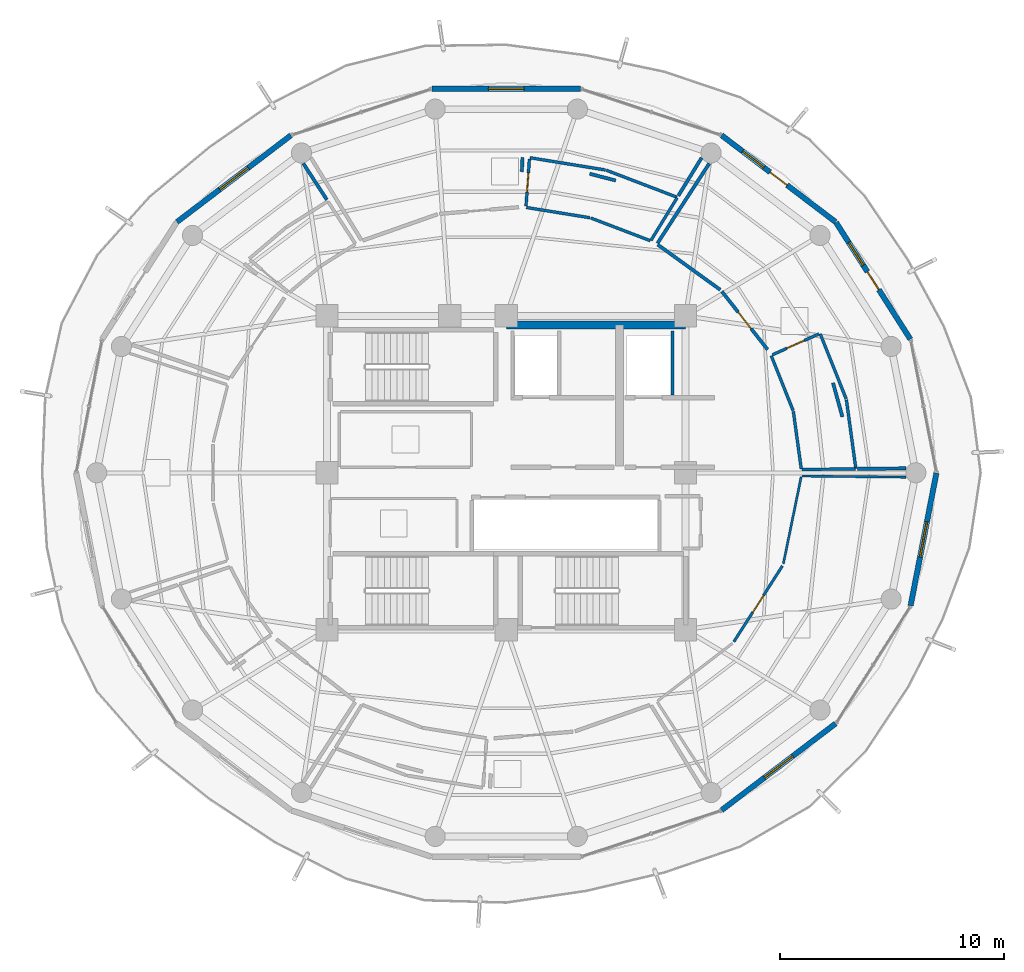
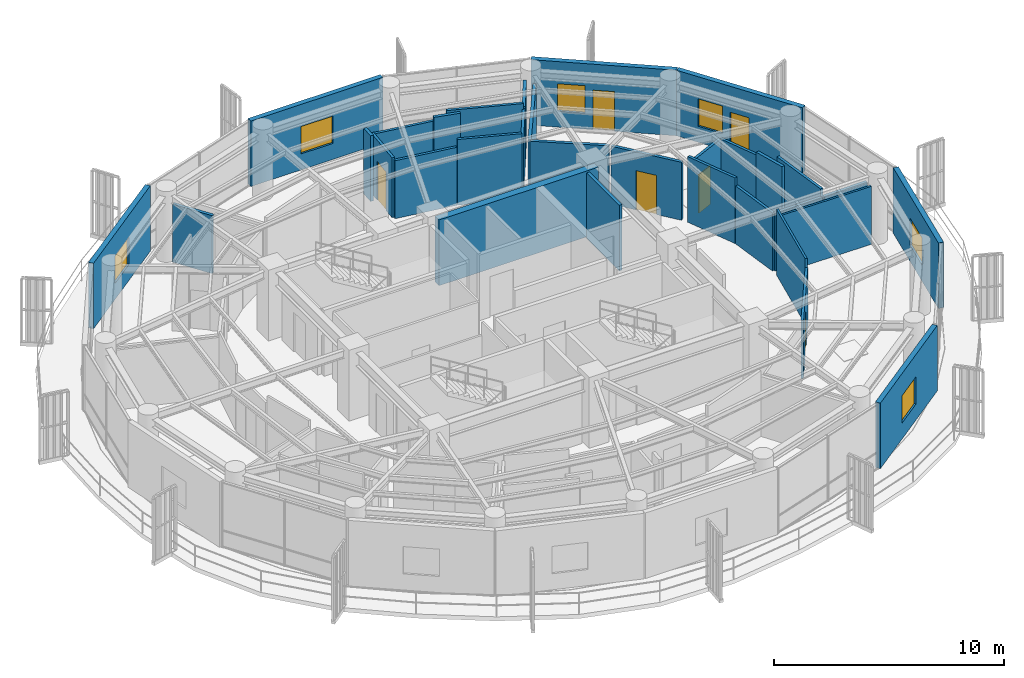
# One storey, part 17 of 22: 32 walls, 6 doors, 6 windows, 12 openings.
"""IFC4 building model written with IfcOpenShell, lengths in metres."""

from ifc_helpers import new_model, si_unit, direction, frame, frame_2d, origin, place, context, subcontext, project, spatial, rectangle, extrude, material, layer, layer_set, type_object, element, fill, save


model = new_model("IFC4")

# Units and contexts
model_context = context("Model", 3, precision=1e-05, world=origin(), true_north=direction((0.0, 1.0)))
body_context = subcontext(model_context, "Body", "Model", "MODEL_VIEW")
ifc_project = project(units=[si_unit("LENGTHUNIT", "METRE"), si_unit("AREAUNIT", "SQUARE_METRE"), si_unit("VOLUMEUNIT", "CUBIC_METRE"), si_unit("PLANEANGLEUNIT", "RADIAN"), si_unit("MASSUNIT", "GRAM", prefix="KILO")], contexts=[model_context])

# Site, building, storey
site_placement = place(None, origin())
site = spatial("IfcSite", under=ifc_project, at=site_placement, CompositionType="ELEMENT")
building_placement = place(site_placement, origin())
building = spatial("IfcBuilding", under=site, at=building_placement, Name="Kelanora Arch Commons", CompositionType="ELEMENT")
storey_placement = place(building_placement, frame((0.0, 0.0, 271.199951171875)))
storey = spatial("IfcBuildingStorey", under=building, at=storey_placement, Name="L69", CompositionType="ELEMENT", Elevation=271.199951171875)

# Wall
ifc_material_1 = material(Name="Autoclaved aerated concrete blockwork with fire plaster", Category="masonry")
ifc_layer_1 = layer(ifc_material_1, 0.14990234375)
ifc_layer_set_1 = layer_set([ifc_layer_1], Name="Autoclaved aerated concrete blockwork with fire plaster")
wall_type_1 = type_object("IfcWallType", Name="W-COMP-150", PredefinedType="PARTITIONING", material=ifc_layer_set_1)
wall_1_placement = place(storey_placement, frame((81.419921875, 61.47998046875, 0.0), z_axis=(0.0, 0.0, 1.0), x_axis=(0.0, 1.0, 0.0)))
element("IfcWall", 1, at=wall_1_placement, inside=storey, type_object=wall_type_1, Name="Firefighting Lift 2 East Shaft Wall L69", PredefinedType="PARTITIONING", context=body_context, shape_type="SweptSolid", body=[
    extrude(rectangle(XDim=2.840087890625, YDim=0.14990234375, at=frame_2d((1.419921875, 0.0))), origin(), (0.0, 0.0, 1.0), 3.47998046875),
])

# Wall, opening, door
wall_2_placement = place(storey_placement, frame((85.662841796875, 63.497314453125, 0.0), z_axis=(0.0, 0.0, 1.0), x_axis=(-0.618216128683, 0.786008154052, 0.0)))
wall_2 = element("IfcWall", 2, at=wall_2_placement, inside=storey, type_object=wall_type_1, Name="Co-Living Studio L69-07 Entry Partition", PredefinedType="PARTITIONING", context=body_context, shape_type="SweptSolid", body=[
    extrude(rectangle(XDim=3.305908203125, YDim=0.14990234375, at=frame_2d((1.65283203125, 0.0))), origin(), (0.0, 0.0, 1.0), 3.074951171875),
])
opening_1_placement = place(wall_2_placement, frame((1.177978515625, 0.0, 0.0)))
opening_1 = element("IfcOpeningElement", 3, at=opening_1_placement, cuts=wall_2, Name="Opening D-CLU1", PredefinedType="OPENING", context=body_context, shape_type="SweptSolid", body=[
    extrude(rectangle(XDim=0.949951171875, YDim=2.080078125, at=frame_2d((0.47509765625, 1.0400390625))), frame((0.0, 0.0849609375, 0.0), z_axis=(0.0, -1.0, 0.0), x_axis=(1.0, 0.0, 0.0)), (0.0, 0.0, 1.0), 0.169921875),
])
ifc_material_2 = material(Name="Solid-core acoustic timber cluster entry fire door", Category="wood")
door_type_1 = type_object("IfcDoorType", Name="D-CLU-95", OperationType="NOTDEFINED", PredefinedType="DOOR", material=ifc_material_2)
door_1_placement = place(opening_1_placement, origin())
door_1 = element("IfcDoor", 4, at=door_1_placement, inside=storey, type_object=door_type_1, Name="Co-Living Studio L69-07 Door", OperationType="SINGLE_SWING_LEFT", OverallHeight=2.080078125, OverallWidth=0.949951171875, PredefinedType="DOOR", context=body_context, shape_type="SweptSolid", body=[
    extrude(rectangle(XDim=0.949951171875, YDim=2.080078125, at=frame_2d((0.47509765625, 1.0400390625))), frame((0.0, 0.02490234375, 0.0), z_axis=(0.0, -1.0, 0.0), x_axis=(1.0, 0.0, 0.0)), (0.0, 0.0, 1.0), 0.050048828125),
])
fill(opening_1, door_1)

# Walls
wall_3_placement = place(storey_placement, frame((82.717041015625, 72.055908203125, 0.0), z_axis=(0.0, 0.0, 1.0), x_axis=(-0.522809528722, -0.852449527349, 0.0)))
element("IfcWall", 5, at=wall_3_placement, inside=storey, type_object=wall_type_1, Name="Co-Living Studio L69-01 Enclosure Partition 6", PredefinedType="PARTITIONING", context=body_context, shape_type="SweptSolid", body=[
    extrude(rectangle(XDim=1.9892578125, YDim=0.14990234375, at=frame_2d((0.99462890625, 0.0))), origin(), (0.0, 0.0, 1.0), 3.235107421875),
])
wall_4_placement = place(storey_placement, frame((78.882568359375, 71.043701171875, 0.0), z_axis=(0.0, 0.0, 1.0), x_axis=(-0.968105115077, 0.250544379624, 0.0)))
element("IfcWall", 6, at=wall_4_placement, inside=storey, type_object=wall_type_1, Name="Co-Living Studio L69-01 Enclosure Partition 7", PredefinedType="PARTITIONING", context=body_context, shape_type="SweptSolid", body=[
    extrude(rectangle(XDim=1.196533203125, YDim=0.14990234375, at=frame_2d((0.59814453125, 0.0))), origin(), (0.0, 0.0, 1.0), 3.47998046875),
])
wall_5_placement = place(storey_placement, frame((74.72607421875, 72.0791015625, 0.0), z_axis=(0.0, 0.0, 1.0), x_axis=(-0.050992575405, -0.998699032368, 0.0)))
element("IfcWall", 7, at=wall_5_placement, inside=storey, type_object=wall_type_1, Name="Co-Living Studio L69-01 Enclosure Partition 8", PredefinedType="PARTITIONING", context=body_context, shape_type="SweptSolid", body=[
    extrude(rectangle(XDim=0.646240234375, YDim=0.14990234375, at=frame_2d((0.3232421875, 0.0))), origin(), (0.0, 0.0, 1.0), 3.47998046875),
])
wall_6_placement = place(storey_placement, frame((64.941650390625, 71.80419921875, 0.0), z_axis=(0.0, 0.0, 1.0), x_axis=(0.54428503198, -0.838900354013, 0.0)))
element("IfcWall", 8, at=wall_6_placement, inside=storey, type_object=wall_type_1, Name="Co-Living Studio L69-02 Enclosure Partition 5", PredefinedType="PARTITIONING", context=body_context, shape_type="SweptSolid", body=[
    extrude(rectangle(XDim=1.92822265625, YDim=0.14990234375, at=frame_2d((0.964111328125, 0.0))), origin(), (0.0, 0.0, 1.0), 3.074951171875),
])
wall_7_placement = place(storey_placement, frame((83.549560546875, 66.16650390625, 0.0), z_axis=(0.0, 0.0, 1.0), x_axis=(-0.810845521854, 0.585260232451, 0.0)))
element("IfcWall", 9, at=wall_7_placement, inside=storey, type_object=wall_type_1, Name="Co-Living Studio L69-07 Enclosure Partition 2", PredefinedType="PARTITIONING", context=body_context, shape_type="SweptSolid", body=[
    extrude(rectangle(XDim=3.44482421875, YDim=0.14990234375, at=frame_2d((1.722412109375, 0.0))), origin(), (0.0, 0.0, 1.0), 3.074951171875),
])
wall_8_placement = place(storey_placement, frame((80.745849609375, 68.239501953125, 0.0), z_axis=(0.0, 0.0, 1.0), x_axis=(0.544234825024, 0.838932926539, 0.0)))
element("IfcWall", 10, at=wall_8_placement, inside=storey, type_object=wall_type_1, Name="Co-Living Studio L69-07 Enclosure Partition 3", PredefinedType="PARTITIONING", context=body_context, shape_type="SweptSolid", body=[
    extrude(rectangle(XDim=4.2490234375, YDim=0.14990234375, at=frame_2d((2.12451171875, 0.0))), origin(), (0.0, 0.0, 1.0), 3.074951171875),
])
wall_9_placement = place(storey_placement, frame((91.847900390625, 58.197509765625, 0.0), z_axis=(0.0, 0.0, 1.0), x_axis=(-0.999937677283, -0.011164297964, 0.0)))
element("IfcWall", 11, at=wall_9_placement, inside=storey, type_object=wall_type_1, Name="Co-Living Studio L69-07 Enclosure Partition 6", PredefinedType="PARTITIONING", context=body_context, shape_type="SweptSolid", body=[
    extrude(rectangle(XDim=2.1650390625, YDim=0.14990234375, at=frame_2d((1.08251953125, 0.0))), origin(), (0.0, 0.0, 1.0), 3.074951171875),
])
wall_10_placement = place(storey_placement, frame((89.001953125, 60.492431640625, 0.0), z_axis=(0.0, 0.0, 1.0), x_axis=(-0.266469764124, 0.963843278136, 0.0)))
element("IfcWall", 12, at=wall_10_placement, inside=storey, type_object=wall_type_1, Name="Co-Living Studio L69-07 Enclosure Partition 7", PredefinedType="PARTITIONING", context=body_context, shape_type="SweptSolid", body=[
    extrude(rectangle(XDim=1.576904296875, YDim=0.14990234375, at=frame_2d((0.78857421875, 0.0))), origin(), (0.0, 0.0, 1.0), 3.47998046875),
])
ifc_material_3 = material(Name="Concrete C50/60", Category="concrete")
ifc_layer_2 = layer(ifc_material_3, 0.35009765625)
ifc_layer_set_2 = layer_set([ifc_layer_2], Name="Concrete C50/60")
wall_type_2 = type_object("IfcWallType", Name="W-CORE-350", PredefinedType="SHEAR", material=ifc_layer_set_2)
wall_11_placement = place(storey_placement, frame((74.0, 64.60009765625, 0.0), z_axis=(0.0, 0.0, 1.0), x_axis=(1.0, 0.0, 0.0)))
element("IfcWall", 13, at=wall_11_placement, inside=storey, type_object=wall_type_2, Name="Core Shear Spine L69-CN-E", PredefinedType="SHEAR", context=body_context, shape_type="SweptSolid", body=[
    extrude(rectangle(XDim=8.0, YDim=0.35009765625, at=frame_2d((4.0, 0.0))), origin(), (0.0, 0.0, 1.0), 3.489990234375),
])

# Wall, openings, door, window
ifc_material_4 = material(Name="Precast concrete C40/50 upper-zone terracotta rainscreen", Category="masonry")
ifc_layer_3 = layer(ifc_material_4, 0.239990234375)
ifc_layer_set_3 = layer_set([ifc_layer_3], Name="Precast concrete C40/50 upper-zone terracotta rainscreen")
wall_type_3 = type_object("IfcWallType", Name="W-EXT-TC2", PredefinedType="SOLIDWALL", material=ifc_layer_set_3)
wall_12_placement = place(storey_placement, frame((92.033935546875, 63.9638671875, 0.0), z_axis=(0.0, 0.0, 1.0), x_axis=(-0.537271968456, 0.843409053728, 0.0)))
wall_12 = element("IfcWall", 14, at=wall_12_placement, inside=storey, type_object=wall_type_3, Name="Terracotta Exterior Wall L69-B01", PredefinedType="SOLIDWALL", context=body_context, shape_type="SweptSolid", body=[
    extrude(rectangle(XDim=6.175048828125, YDim=0.239990234375, at=frame_2d((3.08740234375, 0.0))), origin(), (0.0, 0.0, 1.0), 3.47509765625),
])
opening_2_placement = place(wall_12_placement, frame((2.613037109375, 0.0, 0.0)))
opening_2 = element("IfcOpeningElement", 15, at=opening_2_placement, cuts=wall_12, Name="Opening DB-01", PredefinedType="OPENING", context=body_context, shape_type="SweptSolid", body=[
    extrude(rectangle(XDim=0.949951171875, YDim=2.10009765625, at=frame_2d((0.47509765625, 1.050048828125))), frame((0.0, 0.1298828125, 0.0), z_axis=(0.0, -1.0, 0.0), x_axis=(1.0, 0.0, 0.0)), (0.0, 0.0, 1.0), 0.260009765625),
])
opening_3_placement = place(wall_12_placement, frame((3.9130859375, 0.0, 0.85009765625)))
opening_3 = element("IfcOpeningElement", 16, at=opening_3_placement, cuts=wall_12, Name="Opening WN-02", PredefinedType="OPENING", context=body_context, shape_type="SweptSolid", body=[
    extrude(rectangle(XDim=1.199951171875, YDim=1.449951171875, at=frame_2d((0.60009765625, 0.72509765625))), frame((0.0, 0.1298828125, 0.0), z_axis=(0.0, -1.0, 0.0), x_axis=(1.0, 0.0, 0.0)), (0.0, 0.0, 1.0), 0.260009765625),
])
ifc_material_5 = material(Name="Terracotta-aluminium thermally broken glazed balcony door", Category="masonry")
door_type_2 = type_object("IfcDoorType", Name="D-BAL-10", OperationType="NOTDEFINED", PredefinedType="DOOR", material=ifc_material_5)
door_2_placement = place(opening_2_placement, frame((0.949951171875, 0.0, 0.0), z_axis=(0.0, 0.0, 1.0), x_axis=(-1.0, 0.0, 0.0)))
door_2 = element("IfcDoor", 17, at=door_2_placement, inside=storey, type_object=door_type_2, Name="Wave Balcony Door L69-B01", OperationType="SINGLE_SWING_LEFT", OverallHeight=2.10009765625, OverallWidth=0.949951171875, PredefinedType="DOOR", context=body_context, shape_type="SweptSolid", body=[
    extrude(rectangle(XDim=0.949951171875, YDim=2.10009765625, at=frame_2d((0.47509765625, 1.050048828125))), frame((0.0, 0.02490234375, 0.0), z_axis=(0.0, -1.0, 0.0), x_axis=(1.0, 0.0, 0.0)), (0.0, 0.0, 1.0), 0.050048828125),
])
fill(opening_2, door_2)
ifc_material_6 = material(Name="Terracotta-anodised aluminium frame with operable awning sash", Category="masonry")
window_type_1 = type_object("IfcWindowType", Name="WIN-CL-12", PartitioningType="SINGLE_PANEL", PredefinedType="WINDOW", material=ifc_material_6)
window_1_placement = place(opening_3_placement, origin())
window_1 = element("IfcWindow", 18, at=window_1_placement, inside=storey, type_object=window_type_1, Name="Co-Living Operable Window L69-B01", OverallHeight=1.449951171875, OverallWidth=1.199951171875, PartitioningType="SINGLE_PANEL", PredefinedType="WINDOW", context=body_context, shape_type="SweptSolid", body=[
    extrude(rectangle(XDim=1.199951171875, YDim=1.449951171875, at=frame_2d((0.60009765625, 0.72509765625))), frame((0.0, 0.030029296875, 0.0), z_axis=(0.0, -1.0, 0.0), x_axis=(1.0, 0.0, 0.0)), (0.0, 0.0, 1.0), 0.06005859375),
])
fill(opening_3, window_1)

wall_13_placement = place(storey_placement, frame((88.6962890625, 69.193603515625, 0.0), z_axis=(0.0, 0.0, 1.0), x_axis=(-0.796010444211, 0.605282886514, 0.0)))
wall_13 = element("IfcWall", 19, at=wall_13_placement, inside=storey, type_object=wall_type_3, Name="Terracotta Exterior Wall L69-B02", PredefinedType="SOLIDWALL", context=body_context, shape_type="SweptSolid", body=[
    extrude(rectangle(XDim=6.387451171875, YDim=0.239990234375, at=frame_2d((3.19384765625, 0.0))), origin(), (0.0, 0.0, 1.0), 3.47509765625),
])
opening_4_placement = place(wall_13_placement, frame((2.718994140625, 0.0, 0.0)))
opening_4 = element("IfcOpeningElement", 20, at=opening_4_placement, cuts=wall_13, Name="Opening DB-01", PredefinedType="OPENING", context=body_context, shape_type="SweptSolid", body=[
    extrude(rectangle(XDim=0.949951171875, YDim=2.10009765625, at=frame_2d((0.47509765625, 1.050048828125))), frame((0.0, 0.1298828125, 0.0), z_axis=(0.0, -1.0, 0.0), x_axis=(1.0, 0.0, 0.0)), (0.0, 0.0, 1.0), 0.260009765625),
])
opening_5_placement = place(wall_13_placement, frame((4.01904296875, 0.0, 0.85009765625)))
opening_5 = element("IfcOpeningElement", 21, at=opening_5_placement, cuts=wall_13, Name="Opening WN-02", PredefinedType="OPENING", context=body_context, shape_type="SweptSolid", body=[
    extrude(rectangle(XDim=1.199951171875, YDim=1.449951171875, at=frame_2d((0.60009765625, 0.72509765625))), frame((0.0, 0.1298828125, 0.0), z_axis=(0.0, -1.0, 0.0), x_axis=(1.0, 0.0, 0.0)), (0.0, 0.0, 1.0), 0.260009765625),
])
door_3_placement = place(opening_4_placement, frame((0.949951171875, 0.0, 0.0), z_axis=(0.0, 0.0, 1.0), x_axis=(-1.0, 0.0, 0.0)))
door_3 = element("IfcDoor", 22, at=door_3_placement, inside=storey, type_object=door_type_2, Name="Wave Balcony Door L69-B02", OperationType="SINGLE_SWING_RIGHT", OverallHeight=2.10009765625, OverallWidth=0.949951171875, PredefinedType="DOOR", context=body_context, shape_type="SweptSolid", body=[
    extrude(rectangle(XDim=0.949951171875, YDim=2.10009765625, at=frame_2d((0.47509765625, 1.050048828125))), frame((0.0, 0.02490234375, 0.0), z_axis=(0.0, -1.0, 0.0), x_axis=(1.0, 0.0, 0.0)), (0.0, 0.0, 1.0), 0.050048828125),
])
fill(opening_4, door_3)
window_2_placement = place(opening_5_placement, origin())
window_2 = element("IfcWindow", 23, at=window_2_placement, inside=storey, type_object=window_type_1, Name="Co-Living Operable Window L69-B02", OverallHeight=1.449951171875, OverallWidth=1.199951171875, PartitioningType="SINGLE_PANEL", PredefinedType="WINDOW", context=body_context, shape_type="SweptSolid", body=[
    extrude(rectangle(XDim=1.199951171875, YDim=1.449951171875, at=frame_2d((0.60009765625, 0.72509765625))), frame((0.0, 0.030029296875, 0.0), z_axis=(0.0, -1.0, 0.0), x_axis=(1.0, 0.0, 0.0)), (0.0, 0.0, 1.0), 0.06005859375),
])
fill(opening_5, window_2)

# Wall, opening, window
wall_14_placement = place(storey_placement, frame((77.319091796875, 75.1357421875, 0.0), z_axis=(0.0, 0.0, 1.0), x_axis=(-1.0, 0.0, 0.0)))
wall_14 = element("IfcWall", 24, at=wall_14_placement, inside=storey, type_object=wall_type_3, Name="Terracotta Exterior Wall L69-B04", PredefinedType="SOLIDWALL", context=body_context, shape_type="SweptSolid", body=[
    extrude(rectangle(XDim=6.63818359375, YDim=0.239990234375, at=frame_2d((3.319091796875, 0.0))), origin(), (0.0, 0.0, 1.0), 3.47509765625),
])
opening_6_placement = place(wall_14_placement, frame((2.51904296875, 0.0, 0.85009765625)))
opening_6 = element("IfcOpeningElement", 25, at=opening_6_placement, cuts=wall_14, Name="Opening WN-01", PredefinedType="OPENING", context=body_context, shape_type="SweptSolid", body=[
    extrude(rectangle(XDim=1.60009765625, YDim=1.449951171875, at=frame_2d((0.800048828125, 0.72509765625))), frame((0.0, 0.1298828125, 0.0), z_axis=(0.0, -1.0, 0.0), x_axis=(1.0, 0.0, 0.0)), (0.0, 0.0, 1.0), 0.260009765625),
])
ifc_material_7 = material(Name="Terracotta-anodised aluminium frame with operable low-E glazing", Category="masonry")
window_type_2 = type_object("IfcWindowType", Name="WIN-CL-18", PartitioningType="DOUBLE_PANEL_VERTICAL", PredefinedType="WINDOW", material=ifc_material_7)
window_3_placement = place(opening_6_placement, origin())
window_3 = element("IfcWindow", 26, at=window_3_placement, inside=storey, type_object=window_type_2, Name="Co-Living Operable Window L69-B04", OverallHeight=1.449951171875, OverallWidth=1.60009765625, PartitioningType="SINGLE_PANEL", PredefinedType="WINDOW", context=body_context, shape_type="SweptSolid", body=[
    extrude(rectangle(XDim=1.60009765625, YDim=1.449951171875, at=frame_2d((0.800048828125, 0.72509765625))), frame((0.0, 0.030029296875, 0.0), z_axis=(0.0, -1.0, 0.0), x_axis=(1.0, 0.0, 0.0)), (0.0, 0.0, 1.0), 0.06005859375),
])
fill(opening_6, window_3)

wall_15_placement = place(storey_placement, frame((64.38818359375, 73.059814453125, 0.0), z_axis=(0.0, 0.0, 1.0), x_axis=(-0.796010444211, -0.605282886514, 0.0)))
wall_15 = element("IfcWall", 27, at=wall_15_placement, inside=storey, type_object=wall_type_3, Name="Terracotta Exterior Wall L69-B06", PredefinedType="SOLIDWALL", context=body_context, shape_type="SweptSolid", body=[
    extrude(rectangle(XDim=6.387451171875, YDim=0.239990234375, at=frame_2d((3.19384765625, 0.0))), origin(), (0.0, 0.0, 1.0), 3.47509765625),
])
opening_7_placement = place(wall_15_placement, frame((2.39404296875, 0.0, 0.85009765625)))
opening_7 = element("IfcOpeningElement", 28, at=opening_7_placement, cuts=wall_15, Name="Opening WN-01", PredefinedType="OPENING", context=body_context, shape_type="SweptSolid", body=[
    extrude(rectangle(XDim=1.60009765625, YDim=1.449951171875, at=frame_2d((0.800048828125, 0.72509765625))), frame((0.0, 0.1298828125, 0.0), z_axis=(0.0, -1.0, 0.0), x_axis=(1.0, 0.0, 0.0)), (0.0, 0.0, 1.0), 0.260009765625),
])
window_4_placement = place(opening_7_placement, origin())
window_4 = element("IfcWindow", 29, at=window_4_placement, inside=storey, type_object=window_type_2, Name="Co-Living Operable Window L69-B06", OverallHeight=1.449951171875, OverallWidth=1.60009765625, PartitioningType="SINGLE_PANEL", PredefinedType="WINDOW", context=body_context, shape_type="SweptSolid", body=[
    extrude(rectangle(XDim=1.60009765625, YDim=1.449951171875, at=frame_2d((0.800048828125, 0.72509765625))), frame((0.0, 0.030029296875, 0.0), z_axis=(0.0, -1.0, 0.0), x_axis=(1.0, 0.0, 0.0)), (0.0, 0.0, 1.0), 0.06005859375),
])
fill(opening_7, window_4)

wall_16_placement = place(storey_placement, frame((83.61181640625, 42.940185546875, 0.0), z_axis=(0.0, 0.0, 1.0), x_axis=(0.796010444211, 0.605282886514, 0.0)))
wall_16 = element("IfcWall", 30, at=wall_16_placement, inside=storey, type_object=wall_type_3, Name="Terracotta Exterior Wall L69-B15", PredefinedType="SOLIDWALL", context=body_context, shape_type="SweptSolid", body=[
    extrude(rectangle(XDim=6.387451171875, YDim=0.239990234375, at=frame_2d((3.19384765625, 0.0))), origin(), (0.0, 0.0, 1.0), 3.47509765625),
])
opening_8_placement = place(wall_16_placement, frame((2.39404296875, 0.0, 0.85009765625)))
opening_8 = element("IfcOpeningElement", 31, at=opening_8_placement, cuts=wall_16, Name="Opening WN-01", PredefinedType="OPENING", context=body_context, shape_type="SweptSolid", body=[
    extrude(rectangle(XDim=1.60009765625, YDim=1.449951171875, at=frame_2d((0.800048828125, 0.72509765625))), frame((0.0, 0.1298828125, 0.0), z_axis=(0.0, -1.0, 0.0), x_axis=(1.0, 0.0, 0.0)), (0.0, 0.0, 1.0), 0.260009765625),
])
window_5_placement = place(opening_8_placement, origin())
window_5 = element("IfcWindow", 32, at=window_5_placement, inside=storey, type_object=window_type_2, Name="Co-Living Operable Window L69-B15", OverallHeight=1.449951171875, OverallWidth=1.60009765625, PartitioningType="SINGLE_PANEL", PredefinedType="WINDOW", context=body_context, shape_type="SweptSolid", body=[
    extrude(rectangle(XDim=1.60009765625, YDim=1.449951171875, at=frame_2d((0.800048828125, 0.72509765625))), frame((0.0, 0.030029296875, 0.0), z_axis=(0.0, -1.0, 0.0), x_axis=(1.0, 0.0, 0.0)), (0.0, 0.0, 1.0), 0.06005859375),
])
fill(opening_8, window_5)

wall_17_placement = place(storey_placement, frame((92.044921875, 52.0634765625, 0.0), z_axis=(0.0, 0.0, 1.0), x_axis=(0.190969309115, 0.981596008028, 0.0)))
wall_17 = element("IfcWall", 33, at=wall_17_placement, inside=storey, type_object=wall_type_3, Name="Terracotta Exterior Wall L69-B17", PredefinedType="SOLIDWALL", context=body_context, shape_type="SweptSolid", body=[
    extrude(rectangle(XDim=6.032958984375, YDim=0.239990234375, at=frame_2d((3.0166015625, 0.0))), origin(), (0.0, 0.0, 1.0), 3.47509765625),
])
opening_9_placement = place(wall_17_placement, frame((2.216064453125, 0.0, 0.85009765625)))
opening_9 = element("IfcOpeningElement", 34, at=opening_9_placement, cuts=wall_17, Name="Opening WN-01", PredefinedType="OPENING", context=body_context, shape_type="SweptSolid", body=[
    extrude(rectangle(XDim=1.60009765625, YDim=1.449951171875, at=frame_2d((0.800048828125, 0.72509765625))), frame((0.0, 0.1298828125, 0.0), z_axis=(0.0, -1.0, 0.0), x_axis=(1.0, 0.0, 0.0)), (0.0, 0.0, 1.0), 0.260009765625),
])
window_6_placement = place(opening_9_placement, origin())
window_6 = element("IfcWindow", 35, at=window_6_placement, inside=storey, type_object=window_type_2, Name="Co-Living Operable Window L69-B17", OverallHeight=1.449951171875, OverallWidth=1.60009765625, PartitioningType="SINGLE_PANEL", PredefinedType="WINDOW", context=body_context, shape_type="SweptSolid", body=[
    extrude(rectangle(XDim=1.60009765625, YDim=1.449951171875, at=frame_2d((0.800048828125, 0.72509765625))), frame((0.0, 0.030029296875, 0.0), z_axis=(0.0, -1.0, 0.0), x_axis=(1.0, 0.0, 0.0)), (0.0, 0.0, 1.0), 0.06005859375),
])
fill(opening_9, window_6)

# Walls
ifc_material_8 = material(Name="Lightweight fire-rated acoustic stud partition")
ifc_layer_4 = layer(ifc_material_8, 0.10009765625)
ifc_layer_set_4 = layer_set([ifc_layer_4], Name="Lightweight fire-rated acoustic stud partition")
wall_type_4 = type_object("IfcWallType", Name="W-PART-100", PredefinedType="PARTITIONING", material=ifc_layer_set_4)
wall_18_placement = place(storey_placement, frame((86.364990234375, 53.93408203125, 0.0), z_axis=(0.0, 0.0, 1.0), x_axis=(0.200853183429, 0.979621354762, 0.0)))
element("IfcWall", 36, at=wall_18_placement, inside=storey, type_object=wall_type_4, Name="Quiet Seminar Study Room L69-06 Enclosure Partition 3", PredefinedType="PARTITIONING", context=body_context, shape_type="SweptSolid", body=[
    extrude(rectangle(XDim=3.962646484375, YDim=0.10009765625, at=frame_2d((1.9814453125, 0.0))), origin(), (0.0, 0.0, 1.0), 3.47998046875),
])
wall_19_placement = place(storey_placement, frame((87.208984375, 57.8544921875, 0.0), z_axis=(0.0, 0.0, 1.0), x_axis=(0.999937174585, -0.01120923205, 0.0)))
element("IfcWall", 37, at=wall_19_placement, inside=storey, type_object=wall_type_4, Name="Quiet Seminar Study Room L69-06 Enclosure Partition 4", PredefinedType="PARTITIONING", context=body_context, shape_type="SweptSolid", body=[
    extrude(rectangle(XDim=4.63916015625, YDim=0.10009765625, at=frame_2d((2.319580078125, 0.0))), origin(), (0.0, 0.0, 1.0), 3.074951171875),
])

# Wall, opening, door
ifc_material_9 = material(Name="Acoustic twin-stud fire-rated gypsum partition")
ifc_layer_5 = layer(ifc_material_9, 0.1201171875)
ifc_layer_set_5 = layer_set([ifc_layer_5], Name="Acoustic twin-stud fire-rated gypsum partition")
wall_type_5 = type_object("IfcWallType", Name="W-PART-120", PredefinedType="PARTITIONING", material=ifc_layer_set_5)
wall_20_placement = place(storey_placement, frame((84.155517578125, 50.45751953125, 0.0), z_axis=(0.0, 0.0, 1.0), x_axis=(0.539324099435, 0.842098281538, 0.0)))
wall_20 = element("IfcWall", 38, at=wall_20_placement, inside=storey, type_object=wall_type_5, Name="Quiet Seminar Study Room L69-06 Entry Partition", PredefinedType="PARTITIONING", context=body_context, shape_type="SweptSolid", body=[
    extrude(rectangle(XDim=4.02197265625, YDim=0.1201171875, at=frame_2d((2.010986328125, 0.0))), origin(), (0.0, 0.0, 1.0), 3.074951171875),
])
opening_10_placement = place(wall_20_placement, frame((1.56103515625, 0.0, 0.0)))
opening_10 = element("IfcOpeningElement", 39, at=opening_10_placement, cuts=wall_20, Name="Opening D-RM1", PredefinedType="OPENING", context=body_context, shape_type="SweptSolid", body=[
    extrude(rectangle(XDim=0.89990234375, YDim=2.080078125, at=frame_2d((0.449951171875, 1.0400390625))), frame((0.0, 0.070068359375, 0.0), z_axis=(0.0, -1.0, 0.0), x_axis=(1.0, 0.0, 0.0)), (0.0, 0.0, 1.0), 0.14013671875),
])
ifc_material_10 = material(Name="Acoustic fire-rated timber study and lounge door", Category="wood")
door_type_3 = type_object("IfcDoorType", Name="D-ROOM-90", OperationType="NOTDEFINED", PredefinedType="DOOR", material=ifc_material_10)
door_4_placement = place(opening_10_placement, origin())
door_4 = element("IfcDoor", 40, at=door_4_placement, inside=storey, type_object=door_type_3, Name="Quiet Seminar Study Room L69-06 Door", OperationType="SINGLE_SWING_LEFT", OverallHeight=2.080078125, OverallWidth=0.89990234375, PredefinedType="DOOR", context=body_context, shape_type="SweptSolid", body=[
    extrude(rectangle(XDim=0.89990234375, YDim=2.080078125, at=frame_2d((0.449951171875, 1.0400390625))), frame((0.0, 0.02490234375, 0.0), z_axis=(0.0, -1.0, 0.0), x_axis=(1.0, 0.0, 0.0)), (0.0, 0.0, 1.0), 0.050048828125),
])
fill(opening_10, door_4)

ifc_material_11 = material(Name="Moisture-resistant fire-rated cement-board plumbing wall")
ifc_layer_6 = layer(ifc_material_11, 0.1298828125)
ifc_layer_set_6 = layer_set([ifc_layer_6], Name="Moisture-resistant fire-rated cement-board plumbing wall")
wall_type_6 = type_object("IfcWallType", Name="W-WET-120", PredefinedType="PLUMBINGWALL", material=ifc_layer_set_6)
wall_21_placement = place(storey_placement, frame((74.88037109375, 69.90380859375, 0.0), z_axis=(0.0, 0.0, 1.0), x_axis=(0.072837761138, 0.997343802584, 0.0)))
wall_21 = element("IfcWall", 41, at=wall_21_placement, inside=storey, type_object=wall_type_6, Name="En-Suite Shower WC L69-01 Entry Partition", PredefinedType="PLUMBINGWALL", context=body_context, shape_type="SweptSolid", body=[
    extrude(rectangle(XDim=2.10498046875, YDim=0.1298828125, at=frame_2d((1.052490234375, 0.0))), origin(), (0.0, 0.0, 1.0), 3.175048828125),
])
opening_11_placement = place(wall_21_placement, frame((0.6220703125, 0.0, 0.0)))
opening_11 = element("IfcOpeningElement", 42, at=opening_11_placement, cuts=wall_21, Name="Opening D-BT1", PredefinedType="OPENING", context=body_context, shape_type="SweptSolid", body=[
    extrude(rectangle(XDim=0.860107421875, YDim=2.050048828125, at=frame_2d((0.43017578125, 1.02490234375))), frame((0.0, 0.074951171875, 0.0), z_axis=(0.0, -1.0, 0.0), x_axis=(1.0, 0.0, 0.0)), (0.0, 0.0, 1.0), 0.14990234375),
])
ifc_material_12 = material(Name="Moisture-sealed fire-rated accessible bathroom door")
door_type_4 = type_object("IfcDoorType", Name="D-BATH-85", OperationType="NOTDEFINED", PredefinedType="DOOR", material=ifc_material_12)
door_5_placement = place(opening_11_placement, origin())
door_5 = element("IfcDoor", 43, at=door_5_placement, inside=storey, type_object=door_type_4, Name="En-Suite Shower WC L69-01 Door", OperationType="SINGLE_SWING_RIGHT", OverallHeight=2.050048828125, OverallWidth=0.860107421875, PredefinedType="DOOR", context=body_context, shape_type="SweptSolid", body=[
    extrude(rectangle(XDim=0.860107421875, YDim=2.050048828125, at=frame_2d((0.43017578125, 1.02490234375))), frame((0.0, 0.02490234375, 0.0), z_axis=(0.0, -1.0, 0.0), x_axis=(1.0, 0.0, 0.0)), (0.0, 0.0, 1.0), 0.050048828125),
])
fill(opening_11, door_5)

wall_22_placement = place(storey_placement, frame((85.873779296875, 63.2626953125, 0.0), z_axis=(0.0, 0.0, 1.0), x_axis=(0.912228594958, 0.409681572127, 0.0)))
wall_22 = element("IfcWall", 44, at=wall_22_placement, inside=storey, type_object=wall_type_6, Name="En-Suite Shower WC L69-07 Entry Partition", PredefinedType="PLUMBINGWALL", context=body_context, shape_type="SweptSolid", body=[
    extrude(rectangle(XDim=2.274169921875, YDim=0.1298828125, at=frame_2d((1.13720703125, 0.0))), origin(), (0.0, 0.0, 1.0), 3.074951171875),
])
opening_12_placement = place(wall_22_placement, frame((0.70703125, 0.0, 0.0)))
opening_12 = element("IfcOpeningElement", 45, at=opening_12_placement, cuts=wall_22, Name="Opening D-BT1", PredefinedType="OPENING", context=body_context, shape_type="SweptSolid", body=[
    extrude(rectangle(XDim=0.860107421875, YDim=2.050048828125, at=frame_2d((0.43017578125, 1.02490234375))), frame((0.0, 0.074951171875, 0.0), z_axis=(0.0, -1.0, 0.0), x_axis=(1.0, 0.0, 0.0)), (0.0, 0.0, 1.0), 0.14990234375),
])
door_6_placement = place(opening_12_placement, origin())
door_6 = element("IfcDoor", 46, at=door_6_placement, inside=storey, type_object=door_type_4, Name="En-Suite Shower WC L69-07 Door", OperationType="SINGLE_SWING_RIGHT", OverallHeight=2.050048828125, OverallWidth=0.860107421875, PredefinedType="DOOR", context=body_context, shape_type="SweptSolid", body=[
    extrude(rectangle(XDim=0.860107421875, YDim=2.050048828125, at=frame_2d((0.43017578125, 1.02490234375))), frame((0.0, 0.02490234375, 0.0), z_axis=(0.0, -1.0, 0.0), x_axis=(1.0, 0.0, 0.0)), (0.0, 0.0, 1.0), 0.050048828125),
])
fill(opening_12, door_6)

# Walls
wall_23_placement = place(storey_placement, frame((80.42626953125, 68.358154296875, 0.0), z_axis=(0.0, 0.0, 1.0), x_axis=(-0.934318832382, 0.35643838101, 0.0)))
element("IfcWall", 47, at=wall_23_placement, inside=storey, type_object=wall_type_6, Name="En-Suite Shower WC L69-01 Enclosure Partition 1", PredefinedType="PLUMBINGWALL", context=body_context, shape_type="SweptSolid", body=[
    extrude(rectangle(XDim=2.841064453125, YDim=0.1298828125, at=frame_2d((1.42041015625, 0.0))), origin(), (0.0, 0.0, 1.0), 3.47998046875),
])
wall_24_placement = place(storey_placement, frame((77.7333984375, 69.381103515625, 0.0), z_axis=(0.0, 0.0, 1.0), x_axis=(-0.987129766344, 0.159921306894, 0.0)))
element("IfcWall", 48, at=wall_24_placement, inside=storey, type_object=wall_type_6, Name="En-Suite Shower WC L69-01 Enclosure Partition 2", PredefinedType="PLUMBINGWALL", context=body_context, shape_type="SweptSolid", body=[
    extrude(rectangle(XDim=2.874755859375, YDim=0.1298828125, at=frame_2d((1.4375, 0.0))), origin(), (0.0, 0.0, 1.0), 3.074951171875),
])
wall_25_placement = place(storey_placement, frame((75.0576171875, 72.059814453125, 0.0), z_axis=(0.0, 0.0, 1.0), x_axis=(0.987096008114, -0.160129543701, 0.0)))
element("IfcWall", 49, at=wall_25_placement, inside=storey, type_object=wall_type_6, Name="En-Suite Shower WC L69-01 Enclosure Partition 4", PredefinedType="PLUMBINGWALL", context=body_context, shape_type="SweptSolid", body=[
    extrude(rectangle(XDim=3.41357421875, YDim=0.1298828125, at=frame_2d((1.706787109375, 0.0))), origin(), (0.0, 0.0, 1.0), 3.074951171875),
])
wall_26_placement = place(storey_placement, frame((78.4658203125, 71.5029296875, 0.0), z_axis=(0.0, 0.0, 1.0), x_axis=(0.934061774164, -0.357111470057, 0.0)))
element("IfcWall", 50, at=wall_26_placement, inside=storey, type_object=wall_type_6, Name="En-Suite Shower WC L69-01 Enclosure Partition 5", PredefinedType="PLUMBINGWALL", context=body_context, shape_type="SweptSolid", body=[
    extrude(rectangle(XDim=3.373779296875, YDim=0.1298828125, at=frame_2d((1.68701171875, 0.0))), origin(), (0.0, 0.0, 1.0), 3.47998046875),
])
wall_27_placement = place(storey_placement, frame((81.62548828125, 70.27392578125, 0.0), z_axis=(0.0, 0.0, 1.0), x_axis=(-0.523122555159, -0.852257468306, 0.0)))
element("IfcWall", 51, at=wall_27_placement, inside=storey, type_object=wall_type_6, Name="En-Suite Shower WC L69-01 Enclosure Partition 6", PredefinedType="PLUMBINGWALL", context=body_context, shape_type="SweptSolid", body=[
    extrude(rectangle(XDim=2.236328125, YDim=0.1298828125, at=frame_2d((1.1181640625, 0.0))), origin(), (0.0, 0.0, 1.0), 3.175048828125),
])
wall_28_placement = place(storey_placement, frame((87.166259765625, 58.164794921875, 0.0), z_axis=(0.0, 0.0, 1.0), x_axis=(-0.13640850471, 0.990652673667, 0.0)))
element("IfcWall", 52, at=wall_28_placement, inside=storey, type_object=wall_type_6, Name="En-Suite Shower WC L69-07 Enclosure Partition 1", PredefinedType="PLUMBINGWALL", context=body_context, shape_type="SweptSolid", body=[
    extrude(rectangle(XDim=2.5986328125, YDim=0.1298828125, at=frame_2d((1.29931640625, 0.0))), origin(), (0.0, 0.0, 1.0), 3.074951171875),
])
wall_29_placement = place(storey_placement, frame((86.801513671875, 60.777587890625, 0.0), z_axis=(0.0, 0.0, 1.0), x_axis=(-0.370846314423, 0.92869425059, 0.0)))
element("IfcWall", 53, at=wall_29_placement, inside=storey, type_object=wall_type_6, Name="En-Suite Shower WC L69-07 Enclosure Partition 2", PredefinedType="PLUMBINGWALL", context=body_context, shape_type="SweptSolid", body=[
    extrude(rectangle(XDim=2.62939453125, YDim=0.1298828125, at=frame_2d((1.314697265625, 0.0))), origin(), (0.0, 0.0, 1.0), 3.47998046875),
])
wall_30_placement = place(storey_placement, frame((88.010498046875, 64.200439453125, 0.0), z_axis=(0.0, 0.0, 1.0), x_axis=(0.370529396103, -0.928820739768, 0.0)))
element("IfcWall", 54, at=wall_30_placement, inside=storey, type_object=wall_type_6, Name="En-Suite Shower WC L69-07 Enclosure Partition 4", PredefinedType="PLUMBINGWALL", context=body_context, shape_type="SweptSolid", body=[
    extrude(rectangle(XDim=3.12841796875, YDim=0.1298828125, at=frame_2d((1.564208984375, 0.0))), origin(), (0.0, 0.0, 1.0), 3.074951171875),
])
wall_31_placement = place(storey_placement, frame((89.1796875, 61.256103515625, 0.0), z_axis=(0.0, 0.0, 1.0), x_axis=(0.13600432659, -0.990708243202, 0.0)))
element("IfcWall", 55, at=wall_31_placement, inside=storey, type_object=wall_type_6, Name="En-Suite Shower WC L69-07 Enclosure Partition 5", PredefinedType="PLUMBINGWALL", context=body_context, shape_type="SweptSolid", body=[
    extrude(rectangle(XDim=3.093017578125, YDim=0.1298828125, at=frame_2d((1.54638671875, 0.0))), origin(), (0.0, 0.0, 1.0), 3.47998046875),
])
wall_32_placement = place(storey_placement, frame((89.5830078125, 58.171875, 0.0), z_axis=(0.0, 0.0, 1.0), x_axis=(-0.999938226959, -0.011114956836, 0.0)))
element("IfcWall", 56, at=wall_32_placement, inside=storey, type_object=wall_type_6, Name="En-Suite Shower WC L69-07 Enclosure Partition 6", PredefinedType="PLUMBINGWALL", context=body_context, shape_type="SweptSolid", body=[
    extrude(rectangle(XDim=2.394287109375, YDim=0.1298828125, at=frame_2d((1.197265625, 0.0))), origin(), (0.0, 0.0, 1.0), 3.074951171875),
])

save(model, "model.ifc")
